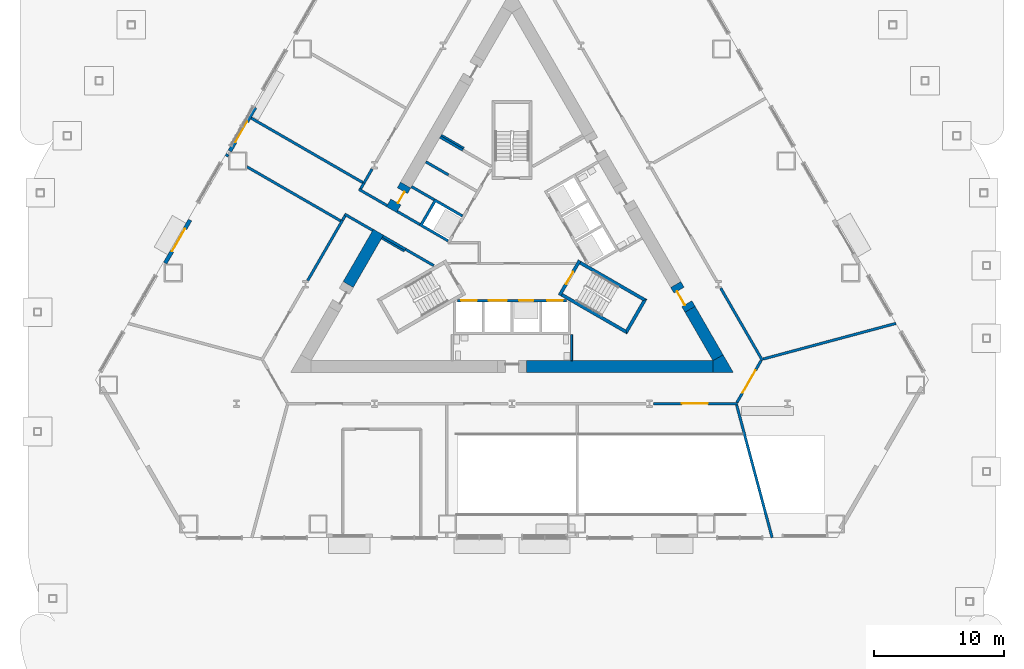
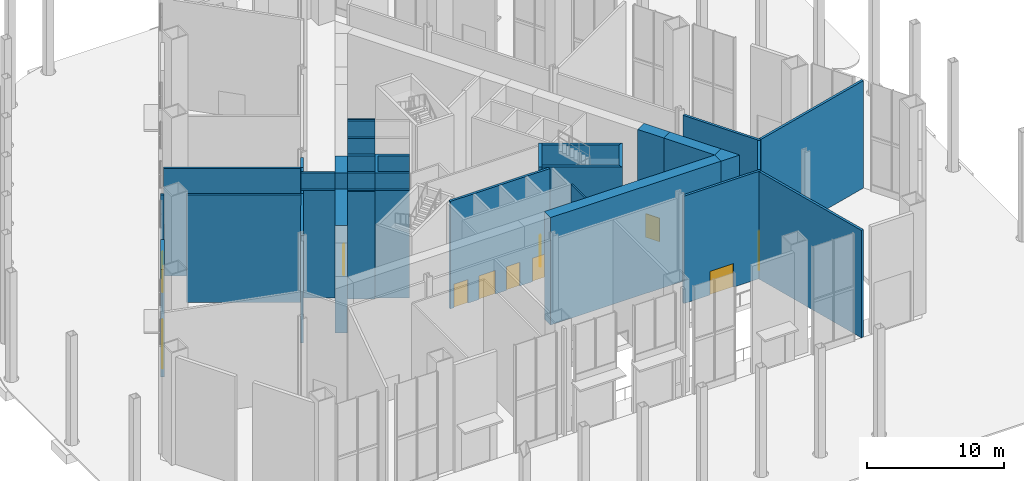
# One storey, part 11 of 18: 37 walls, 11 doors, 11 openings.
"""IFC4 building model written with IfcOpenShell, lengths in metres."""

from ifc_helpers import new_model, si_unit, direction, frame, frame_2d, origin, place, context, subcontext, project, spatial, polyline, rectangle, outline, extrude, material, layer, layer_set, type_object, element, fill, save


model = new_model("IFC4")

# Units and contexts
model_context = context("Model", 3, precision=1e-05, world=origin(), true_north=direction((0.0, 1.0)))
body_context = subcontext(model_context, "Body", "Model", "MODEL_VIEW")
ifc_project = project(units=[si_unit("LENGTHUNIT", "METRE"), si_unit("AREAUNIT", "SQUARE_METRE"), si_unit("VOLUMEUNIT", "CUBIC_METRE"), si_unit("PLANEANGLEUNIT", "RADIAN"), si_unit("MASSUNIT", "GRAM", prefix="KILO")], contexts=[model_context])

# Site, building, storey
site_placement = place(None, origin())
site = spatial("IfcSite", under=ifc_project, at=site_placement, CompositionType="ELEMENT")
building_placement = place(site_placement, origin())
building = spatial("IfcBuilding", under=site, at=building_placement, Name="Cormorant Prow Tower", CompositionType="ELEMENT")
storey_placement = place(building_placement, origin())
storey = spatial("IfcBuildingStorey", under=building, at=storey_placement, Name="L00", CompositionType="ELEMENT", Elevation=0.0)

# Walls
ifc_material_1 = material(Name="Gypsum board partition")
ifc_layer_1 = layer(ifc_material_1, 0.14990234375)
ifc_layer_set_1 = layer_set([ifc_layer_1], Name="Gypsum board partition")
wall_type_1 = type_object("IfcWallType", Name="Core partition 150", PredefinedType="PARTITIONING", material=ifc_layer_set_1)
wall_1_placement = place(storey_placement, frame((4.574951171875, -6.906005859375, 0.0), z_axis=(0.0, 0.0, 1.0), x_axis=(0.0, -1.0, 0.0)))
element("IfcWall", 1, at=wall_1_placement, inside=storey, type_object=wall_type_1, Name="Service room partition", PredefinedType="PARTITIONING", context=body_context, shape_type="SweptSolid", body=[
    extrude(rectangle(XDim=2.009033203125, YDim=0.14990234375, at=frame_2d((1.00439453125, 0.0))), origin(), (0.0, 0.0, 1.0), 9.550048828125),
])
for number, where, z_axis, x_axis, name in (
    (2, (-8.268310546875, -0.509033203125, 0.0), (0.0, 0.0, 1.0), (-0.866035824272, 0.499981950752, 0.0), "Service room partition"),
    (3, (-3.693359375, 7.4150390625, 0.0), (0.0, 0.0, 1.0), (-0.866035824272, 0.499981950752, 0.0), "Service room partition"),
):
    element("IfcWall", number, at=place(storey_placement, frame(where, z_axis=z_axis, x_axis=x_axis)), inside=storey, type_object=wall_type_1, Name=name, PredefinedType="PARTITIONING", context=body_context, shape_type="SweptSolid", body=[
        extrude(rectangle(XDim=2.0087890625, YDim=0.14990234375, at=frame_2d((1.00439453125, 0.0))), origin(), (0.0, 0.0, 1.0), 9.550048828125),
    ])
ifc_material_2 = material(Name="Concrete 8000 psi", Category="concrete")
ifc_layer_2 = layer(ifc_material_2, 0.89990234375)
ifc_layer_set_2 = layer_set([ifc_layer_2], Name="Concrete 8000 psi")
wall_type_2 = type_object("IfcWallType", Name="Core shear wall 900", PredefinedType="SHEAR", material=ifc_layer_set_2)
wall_2_placement = place(storey_placement, frame((1.10009765625, -9.364990234375, 0.0), z_axis=(0.0, 0.0, 1.0), x_axis=(1.0, 0.0, 0.0)))
element("IfcWall", 4, at=wall_2_placement, inside=storey, type_object=wall_type_2, Name="Core wall", PredefinedType="SHEAR", context=body_context, shape_type="SweptSolid", body=[
    extrude(rectangle(XDim=14.341064453125, YDim=0.89990234375, at=frame_2d((7.17041015625, 0.0))), origin(), (0.0, 0.0, 1.0), 9.550048828125),
])
wall_3_placement = place(storey_placement, frame((15.830810546875, -8.68994140625, 0.0), z_axis=(0.0, 0.0, 1.0), x_axis=(-0.499996331799, 0.866027521611, 0.0)))
element("IfcWall", 5, at=wall_3_placement, inside=storey, type_object=wall_type_2, Name="Core wall", PredefinedType="SHEAR", context=body_context, shape_type="SweptSolid", body=[
    extrude(rectangle(XDim=4.29541015625, YDim=0.89990234375, at=frame_2d((2.147705078125, 0.0))), origin(), (0.0, 0.0, 1.0), 9.550048828125),
])
wall_4_placement = place(storey_placement, frame((-10.26025390625, 0.95849609375, 0.0), z_axis=(0.0, 0.0, 1.0), x_axis=(-0.499993887256, -0.86602893295, 0.0)))
element("IfcWall", 6, at=wall_4_placement, inside=storey, type_object=wall_type_2, Name="Core wall", PredefinedType="SHEAR", context=body_context, shape_type="SweptSolid", body=[
    extrude(rectangle(XDim=4.6455078125, YDim=0.89990234375, at=frame_2d((2.32275390625, 0.0))), origin(), (0.0, 0.0, 1.0), 9.550048828125),
])
wall_5_placement = place(storey_placement, origin())
element("IfcWall", 7, at=wall_5_placement, inside=storey, type_object=wall_type_2, Name="Core wall corner", PredefinedType="SHEAR", context=body_context, shape_type="SweptSolid", body=[
    extrude(outline(polyline([(15.441162109375, -9.81494140625), (15.441162109375, -8.9150390625), (16.220703125, -8.465087890625), (17.0, -9.81494140625), (15.441162109375, -9.81494140625)])), origin(), (0.0, 0.0, 1.0), 9.550048828125),
])

# Wall, opening, door
wall_6_placement = place(storey_placement, frame((13.68310546875, -4.969970703125, 0.0), z_axis=(0.0, 0.0, 1.0), x_axis=(-0.50002983664, 0.866008176907, 0.0)))
wall_6 = element("IfcWall", 8, at=wall_6_placement, inside=storey, type_object=wall_type_2, Name="Core wall door panel", PredefinedType="SHEAR", context=body_context, shape_type="SweptSolid", body=[
    extrude(rectangle(XDim=2.199951171875, YDim=0.89990234375, at=frame_2d((1.10009765625, 0.0))), origin(), (0.0, 0.0, 1.0), 9.550048828125),
])
opening_1_placement = place(wall_6_placement, frame((0.5, 0.0, 0.0)))
opening_1 = element("IfcOpeningElement", 9, at=opening_1_placement, cuts=wall_6, Name="Opening FC", PredefinedType="OPENING", context=body_context, shape_type="SweptSolid", body=[
    extrude(rectangle(XDim=1.199951171875, YDim=2.10009765625, at=frame_2d((0.60009765625, 1.050048828125))), frame((0.0, 0.4599609375, 0.0), z_axis=(0.0, -1.0, 0.0), x_axis=(1.0, 0.0, 0.0)), (0.0, 0.0, 1.0), 0.919921875),
])
ifc_material_3 = material(Name="Painted steel", Category="steel")
door_type_1 = type_object("IfcDoorType", Name="Fire command centre door 1200x2100", OperationType="DOUBLE_DOOR_SINGLE_SWING", PredefinedType="DOOR", material=ifc_material_3)
door_1_placement = place(opening_1_placement, origin())
door_1 = element("IfcDoor", 10, at=door_1_placement, inside=storey, type_object=door_type_1, Name="Fire command centre door", OperationType="DOUBLE_DOOR_SINGLE_SWING", OverallHeight=2.10009765625, OverallWidth=1.199951171875, PredefinedType="DOOR", context=body_context, shape_type="SweptSolid", body=[
    extrude(rectangle(XDim=1.199951171875, YDim=2.10009765625, at=frame_2d((0.60009765625, 1.050048828125))), frame((0.0, 0.205078125, 0.0), z_axis=(0.0, -1.0, 0.0), x_axis=(1.0, 0.0, 0.0)), (0.0, 0.0, 1.0), 0.050048828125),
])
fill(opening_1, door_1)

wall_7_placement = place(storey_placement, frame((-8.17041015625, 4.57861328125, 0.0), z_axis=(0.0, 0.0, 1.0), x_axis=(-0.499945432413, -0.866056906104, 0.0)))
wall_7 = element("IfcWall", 11, at=wall_7_placement, inside=storey, type_object=wall_type_2, Name="Core wall door panel", PredefinedType="SHEAR", context=body_context, shape_type="SweptSolid", body=[
    extrude(rectangle(XDim=2.179931640625, YDim=0.89990234375, at=frame_2d((1.08984375, 0.0))), origin(), (0.0, 0.0, 1.0), 9.550048828125),
])
opening_2_placement = place(wall_7_placement, frame((0.5, 0.0, 0.0)))
opening_2 = element("IfcOpeningElement", 12, at=opening_2_placement, cuts=wall_7, Name="Opening L00-C20", PredefinedType="OPENING", context=body_context, shape_type="SweptSolid", body=[
    extrude(rectangle(XDim=1.0, YDim=2.10009765625, at=frame_2d((0.5, 1.050048828125))), frame((0.0, 0.4599609375, 0.0), z_axis=(0.0, -1.0, 0.0), x_axis=(1.0, 0.0, 0.0)), (0.0, 0.0, 1.0), 0.919921875),
])
ifc_material_4 = material(Name="Painted steel", Category="steel")
door_type_2 = type_object("IfcDoorType", Name="Service door 1000x2100", OperationType="NOTDEFINED", PredefinedType="DOOR", material=ifc_material_4)
door_2_placement = place(opening_2_placement, origin())
door_2 = element("IfcDoor", 13, at=door_2_placement, inside=storey, type_object=door_type_2, Name="Core door, Telecom room", OperationType="SINGLE_SWING_RIGHT", OverallHeight=2.10009765625, OverallWidth=1.0, PredefinedType="DOOR", context=body_context, shape_type="SweptSolid", body=[
    extrude(rectangle(XDim=1.0, YDim=2.10009765625, at=frame_2d((0.5, 1.050048828125))), frame((0.0, 0.205078125, 0.0), z_axis=(0.0, -1.0, 0.0), x_axis=(1.0, 0.0, 0.0)), (0.0, 0.0, 1.0), 0.050048828125),
])
fill(opening_2, door_2)

ifc_material_5 = material(Name="Gypsum board corridor wall")
ifc_layer_3 = layer(ifc_material_5, 0.199951171875)
ifc_layer_set_3 = layer_set([ifc_layer_3], Name="Gypsum board corridor wall")
wall_type_3 = type_object("IfcWallType", Name="Corridor wall 200", PredefinedType="PARTITIONING", material=ifc_layer_set_3)
wall_8_placement = place(storey_placement, frame((10.873291015625, -12.215087890625, 0.0), z_axis=(0.0, 0.0, 1.0), x_axis=(1.0, 0.0, 0.0)))
wall_8 = element("IfcWall", 14, at=wall_8_placement, inside=storey, type_object=wall_type_3, Name="Corridor wall", PredefinedType="PARTITIONING", context=body_context, shape_type="SweptSolid", body=[
    extrude(rectangle(XDim=6.45751953125, YDim=0.199951171875, at=frame_2d((3.228759765625, 0.0))), origin(), (0.0, 0.0, 1.0), 9.550048828125),
])
opening_3_placement = place(wall_8_placement, frame((2.17822265625, 0.0, 0.0)))
opening_3 = element("IfcOpeningElement", 15, at=opening_3_placement, cuts=wall_8, Name="Opening L00-F03", PredefinedType="OPENING", context=body_context, shape_type="SweptSolid", body=[
    extrude(rectangle(XDim=2.0, YDim=2.10009765625, at=frame_2d((1.0, 1.050048828125))), frame((0.0, 0.10986328125, 0.0), z_axis=(0.0, -1.0, 0.0), x_axis=(1.0, 0.0, 0.0)), (0.0, 0.0, 1.0), 0.219970703125),
])
ifc_material_6 = material(Name="Glazed aluminium door", Category="aluminium")
door_type_3 = type_object("IfcDoorType", Name="Glazed double door 2000x2100", OperationType="DOUBLE_DOOR_SINGLE_SWING", PredefinedType="DOOR", material=ifc_material_6)
door_3_placement = place(opening_3_placement, origin())
door_3 = element("IfcDoor", 16, at=door_3_placement, inside=storey, type_object=door_type_3, Name="Retail unit door", OperationType="DOUBLE_DOOR_SINGLE_SWING", OverallHeight=2.10009765625, OverallWidth=2.0, PredefinedType="DOOR", context=body_context, shape_type="SweptSolid", body=[
    extrude(rectangle(XDim=2.0, YDim=2.10009765625, at=frame_2d((1.0, 1.050048828125))), frame((0.0, 0.02490234375, 0.0), z_axis=(0.0, -1.0, 0.0), x_axis=(1.0, 0.0, 0.0)), (0.0, 0.0, 1.0), 0.050048828125),
])
fill(opening_3, door_3)

# Walls
wall_9_placement = place(storey_placement, frame((16.037841796875, -3.348388671875, 0.0), z_axis=(0.0, 0.0, 1.0), x_axis=(0.499988314375, -0.866032150378, 0.0)))
element("IfcWall", 17, at=wall_9_placement, inside=storey, type_object=wall_type_3, Name="Corridor wall", PredefinedType="PARTITIONING", context=body_context, shape_type="SweptSolid", body=[
    extrude(rectangle(XDim=6.412353515625, YDim=0.199951171875, at=frame_2d((3.2060546875, 0.0))), origin(), (0.0, 0.0, 1.0), 9.550048828125),
])
wall_10_placement = place(storey_placement, frame((-15.697509765625, -2.759033203125, 0.0), z_axis=(0.0, 0.0, 1.0), x_axis=(0.500125484666, 0.865952943056, 0.0)))
element("IfcWall", 18, at=wall_10_placement, inside=storey, type_object=wall_type_3, Name="Corridor wall", PredefinedType="PARTITIONING", context=body_context, shape_type="SweptSolid", body=[
    extrude(rectangle(XDim=5.348388671875, YDim=0.199951171875, at=frame_2d((2.67431640625, 0.0))), origin(), (0.0, 0.0, 1.0), 9.550048828125),
])

# Wall, opening, door
wall_11_placement = place(storey_placement, frame((17.281005859375, -12.12841796875, 0.0), z_axis=(0.0, 0.0, 1.0), x_axis=(0.499958791762, 0.866049194065, 0.0)))
wall_11 = element("IfcWall", 19, at=wall_11_placement, inside=storey, type_object=wall_type_3, Name="Corridor wall", PredefinedType="PARTITIONING", context=body_context, shape_type="SweptSolid", body=[
    extrude(rectangle(XDim=3.725830078125, YDim=0.199951171875, at=frame_2d((1.86279296875, 0.0))), origin(), (0.0, 0.0, 1.0), 9.550048828125),
])
opening_4_placement = place(wall_11_placement, frame((0.863037109375, 0.0, 0.0)))
opening_4 = element("IfcOpeningElement", 20, at=opening_4_placement, cuts=wall_11, Name="Opening L00-F04", PredefinedType="OPENING", context=body_context, shape_type="SweptSolid", body=[
    extrude(rectangle(XDim=2.0, YDim=2.10009765625, at=frame_2d((1.0, 1.050048828125))), frame((0.0, 0.10986328125, 0.0), z_axis=(0.0, -1.0, 0.0), x_axis=(1.0, 0.0, 0.0)), (0.0, 0.0, 1.0), 0.219970703125),
])
door_4_placement = place(opening_4_placement, origin())
door_4 = element("IfcDoor", 21, at=door_4_placement, inside=storey, type_object=door_type_3, Name="Cafe door", OperationType="DOUBLE_DOOR_SINGLE_SWING", OverallHeight=2.10009765625, OverallWidth=2.0, PredefinedType="DOOR", context=body_context, shape_type="SweptSolid", body=[
    extrude(rectangle(XDim=2.0, YDim=2.10009765625, at=frame_2d((1.0, 1.050048828125))), frame((0.0, 0.02490234375, 0.0), z_axis=(0.0, -1.0, 0.0), x_axis=(1.0, 0.0, 0.0)), (0.0, 0.0, 1.0), 0.050048828125),
])
fill(opening_4, door_4)

# Walls
wall_12_placement = place(storey_placement, frame((-11.432373046875, 4.627197265625, 0.0), z_axis=(0.0, 0.0, 1.0), x_axis=(0.499650385877, 0.866227159522, 0.0)))
element("IfcWall", 22, at=wall_12_placement, inside=storey, type_object=wall_type_3, Name="Corridor wall", PredefinedType="PARTITIONING", context=body_context, shape_type="SweptSolid", body=[
    extrude(rectangle(XDim=1.36865234375, YDim=0.199951171875, at=frame_2d((0.684326171875, 0.0))), origin(), (0.0, 0.0, 1.0), 9.550048828125),
])
ifc_material_7 = material(Name="Gypsum board demising wall")
ifc_layer_4 = layer(ifc_material_7, 0.199951171875)
ifc_layer_set_4 = layer_set([ifc_layer_4], Name="Gypsum board demising wall")
wall_type_4 = type_object("IfcWallType", Name="Demising wall 200", PredefinedType="PARTITIONING", material=ifc_layer_set_4)
for number, where, z_axis, x_axis, name in (
    (23, (19.29052734375, -8.7890625, 0.0), (0.0, 0.0, 1.0), (0.965815181093, 0.259231626099, 0.0), "Demising wall"),
    (24, (17.256591796875, -12.3115234375, 0.0), (0.0, 0.0, 1.0), (0.258424938993, -0.96603134054, 0.0), "Demising wall"),
):
    element("IfcWall", number, at=place(storey_placement, frame(where, z_axis=z_axis, x_axis=x_axis)), inside=storey, type_object=wall_type_4, Name=name, PredefinedType="PARTITIONING", context=body_context, shape_type="SweptSolid", body=[
        extrude(rectangle(XDim=10.56396484375, YDim=0.199951171875, at=frame_2d((5.281982421875, 0.0))), origin(), (0.0, 0.0, 1.0), 9.550048828125),
    ])

# Wall, openings, doors
ifc_material_8 = material(Name="Concrete 5000 psi", Category="concrete")
ifc_layer_5 = layer(ifc_material_8, 0.199951171875)
ifc_layer_set_5 = layer_set([ifc_layer_5], Name="Concrete 5000 psi")
wall_type_5 = type_object("IfcWallType", Name="Lift lobby wall 200", PredefinedType="SOLIDWALL", material=ifc_layer_set_5)
wall_13_placement = place(storey_placement, frame((-4.1865234375, -4.300048828125, 0.0), z_axis=(0.0, 0.0, 1.0), x_axis=(1.0, 0.0, 0.0)))
wall_13 = element("IfcWall", 25, at=wall_13_placement, inside=storey, type_object=wall_type_5, Name="Lift lobby wall, S block", PredefinedType="SOLIDWALL", context=body_context, shape_type="SweptSolid", body=[
    extrude(rectangle(XDim=8.373046875, YDim=0.199951171875, at=frame_2d((4.1865234375, 0.0))), origin(), (0.0, 0.0, 1.0), 9.550048828125),
])
opening_5_placement = place(wall_13_placement, frame((0.28662109375, 0.0, 0.0)))
opening_5 = element("IfcOpeningElement", 26, at=opening_5_placement, cuts=wall_13, Name="Opening L00-C01", PredefinedType="OPENING", context=body_context, shape_type="SweptSolid", body=[
    extrude(rectangle(XDim=1.199951171875, YDim=2.10009765625, at=frame_2d((0.60009765625, 1.050048828125))), frame((0.0, 0.10986328125, 0.0), z_axis=(0.0, -1.0, 0.0), x_axis=(1.0, 0.0, 0.0)), (0.0, 0.0, 1.0), 0.219970703125),
])
opening_6_placement = place(wall_13_placement, frame((2.38671875, 0.0, 0.0)))
opening_6 = element("IfcOpeningElement", 27, at=opening_6_placement, cuts=wall_13, Name="Opening L00-C02", PredefinedType="OPENING", context=body_context, shape_type="SweptSolid", body=[
    extrude(rectangle(XDim=1.39990234375, YDim=2.10009765625, at=frame_2d((0.699951171875, 1.050048828125))), frame((0.0, 0.10986328125, 0.0), z_axis=(0.0, -1.0, 0.0), x_axis=(1.0, 0.0, 0.0)), (0.0, 0.0, 1.0), 0.219970703125),
])
opening_7_placement = place(wall_13_placement, frame((4.736572265625, 0.0, 0.0)))
opening_7 = element("IfcOpeningElement", 28, at=opening_7_placement, cuts=wall_13, Name="Opening L00-C03", PredefinedType="OPENING", context=body_context, shape_type="SweptSolid", body=[
    extrude(rectangle(XDim=1.10009765625, YDim=2.10009765625, at=frame_2d((0.550048828125, 1.050048828125))), frame((0.0, 0.10986328125, 0.0), z_axis=(0.0, -1.0, 0.0), x_axis=(1.0, 0.0, 0.0)), (0.0, 0.0, 1.0), 0.219970703125),
])
opening_8_placement = place(wall_13_placement, frame((6.88671875, 0.0, 0.0)))
opening_8 = element("IfcOpeningElement", 29, at=opening_8_placement, cuts=wall_13, Name="Opening L00-C04", PredefinedType="OPENING", context=body_context, shape_type="SweptSolid", body=[
    extrude(rectangle(XDim=1.199951171875, YDim=2.10009765625, at=frame_2d((0.60009765625, 1.050048828125))), frame((0.0, 0.10986328125, 0.0), z_axis=(0.0, -1.0, 0.0), x_axis=(1.0, 0.0, 0.0)), (0.0, 0.0, 1.0), 0.219970703125),
])
ifc_material_9 = material(Name="Painted steel", Category="steel")
door_type_4 = type_object("IfcDoorType", Name="Firefighting lift landing door 1200x2100", OperationType="SLIDING_TO_LEFT", PredefinedType="DOOR", material=ifc_material_9)
door_5_placement = place(opening_5_placement, origin())
door_5 = element("IfcDoor", 30, at=door_5_placement, inside=storey, type_object=door_type_4, Name="Landing door FL1", OperationType="SLIDING_TO_LEFT", OverallHeight=2.10009765625, OverallWidth=1.199951171875, PredefinedType="DOOR", context=body_context, shape_type="SweptSolid", body=[
    extrude(rectangle(XDim=1.199951171875, YDim=2.10009765625, at=frame_2d((0.60009765625, 1.050048828125))), frame((0.0, 0.02490234375, 0.0), z_axis=(0.0, -1.0, 0.0), x_axis=(1.0, 0.0, 0.0)), (0.0, 0.0, 1.0), 0.050048828125),
])
fill(opening_5, door_5)
door_6_placement = place(opening_8_placement, origin())
door_6 = element("IfcDoor", 31, at=door_6_placement, inside=storey, type_object=door_type_4, Name="Landing door FL2", OperationType="SLIDING_TO_LEFT", OverallHeight=2.10009765625, OverallWidth=1.199951171875, PredefinedType="DOOR", context=body_context, shape_type="SweptSolid", body=[
    extrude(rectangle(XDim=1.199951171875, YDim=2.10009765625, at=frame_2d((0.60009765625, 1.050048828125))), frame((0.0, 0.02490234375, 0.0), z_axis=(0.0, -1.0, 0.0), x_axis=(1.0, 0.0, 0.0)), (0.0, 0.0, 1.0), 0.050048828125),
])
fill(opening_8, door_6)
ifc_material_10 = material(Name="Painted steel", Category="steel")
door_type_5 = type_object("IfcDoorType", Name="Lift landing door 1100x2100", OperationType="SLIDING_TO_LEFT", PredefinedType="DOOR", material=ifc_material_10)
door_7_placement = place(opening_7_placement, origin())
door_7 = element("IfcDoor", 32, at=door_7_placement, inside=storey, type_object=door_type_5, Name="Landing door LR1", OperationType="SLIDING_TO_LEFT", OverallHeight=2.10009765625, OverallWidth=1.10009765625, PredefinedType="DOOR", context=body_context, shape_type="SweptSolid", body=[
    extrude(rectangle(XDim=1.10009765625, YDim=2.10009765625, at=frame_2d((0.550048828125, 1.050048828125))), frame((0.0, 0.02490234375, 0.0), z_axis=(0.0, -1.0, 0.0), x_axis=(1.0, 0.0, 0.0)), (0.0, 0.0, 1.0), 0.050048828125),
])
fill(opening_7, door_7)
ifc_material_11 = material(Name="Painted steel", Category="steel")
door_type_6 = type_object("IfcDoorType", Name="Service lift landing door 1400x2100", OperationType="SLIDING_TO_LEFT", PredefinedType="DOOR", material=ifc_material_11)
door_8_placement = place(opening_6_placement, origin())
door_8 = element("IfcDoor", 33, at=door_8_placement, inside=storey, type_object=door_type_6, Name="Landing door SL1", OperationType="SLIDING_TO_LEFT", OverallHeight=2.10009765625, OverallWidth=1.39990234375, PredefinedType="DOOR", context=body_context, shape_type="SweptSolid", body=[
    extrude(rectangle(XDim=1.39990234375, YDim=2.10009765625, at=frame_2d((0.699951171875, 1.050048828125))), frame((0.0, 0.02490234375, 0.0), z_axis=(0.0, -1.0, 0.0), x_axis=(1.0, 0.0, 0.0)), (0.0, 0.0, 1.0), 0.050048828125),
])
fill(opening_6, door_8)

# Walls
ifc_material_12 = material(Name="Concrete 8000 psi", Category="concrete")
ifc_layer_6 = layer(ifc_material_12, 0.199951171875)
ifc_layer_set_6 = layer_set([ifc_layer_6], Name="Concrete 8000 psi")
wall_type_6 = type_object("IfcWallType", Name="Lift shaft wall 200", PredefinedType="SHEAR", material=ifc_layer_set_6)
wall_14_placement = place(storey_placement, origin())
element("IfcWall", 34, at=wall_14_placement, inside=storey, type_object=wall_type_6, Name="Lift shaft walls, WNW block", PredefinedType="SHEAR", context=body_context, shape_type="SweptSolid", body=[
    extrude(outline(polyline([(-6.060546875, -1.697021484375), (-8.230712890625, -0.444091796875), (-8.130859375, -0.27099609375), (-5.96044921875, -1.52392578125), (-6.060546875, -1.697021484375)])), origin(), (0.0, 0.0, 1.0), 9.550048828125),
])
wall_15_placement = place(storey_placement, origin())
element("IfcWall", 35, at=wall_15_placement, inside=storey, type_object=wall_type_6, Name="Lift shaft walls, WNW block", PredefinedType="SHEAR", context=body_context, shape_type="SweptSolid", body=[
    extrude(outline(polyline([(-4.96044921875, 0.2080078125), (-7.130859375, 1.461181640625), (-5.930908203125, 3.53955078125), (-3.760498046875, 2.28662109375), (-3.860595703125, 2.11328125), (-5.852294921875, 3.263427734375), (-6.852294921875, 1.53125), (-4.860595703125, 0.38134765625), (-4.96044921875, 0.2080078125)])), origin(), (0.0, 0.0, 1.0), 9.550048828125),
])
wall_16_placement = place(storey_placement, frame((-3.78076171875, 7.263427734375, 0.0), z_axis=(0.0, 0.0, 1.0), x_axis=(-0.865983199114, 0.50007309351, 0.0)))
element("IfcWall", 36, at=wall_16_placement, inside=storey, type_object=wall_type_6, Name="Store side wall", PredefinedType="SHEAR", context=body_context, shape_type="SweptSolid", body=[
    extrude(rectangle(XDim=2.009033203125, YDim=0.199951171875, at=frame_2d((1.00439453125, 0.0))), origin(), (0.0, 0.0, 1.0), 9.550048828125),
])
wall_17_placement = place(storey_placement, frame((-4.880859375, 5.3583984375, 0.0), z_axis=(0.0, 0.0, 1.0), x_axis=(-0.866035824272, 0.499981950752, 0.0)))
element("IfcWall", 37, at=wall_17_placement, inside=storey, type_object=wall_type_6, Name="Store side wall", PredefinedType="SHEAR", context=body_context, shape_type="SweptSolid", body=[
    extrude(rectangle(XDim=2.0087890625, YDim=0.199951171875, at=frame_2d((1.00439453125, 0.0))), origin(), (0.0, 0.0, 1.0), 9.550048828125),
])
wall_18_placement = place(storey_placement, frame((-5.980712890625, 3.452880859375, 0.0), z_axis=(0.0, 0.0, 1.0), x_axis=(-0.866013584312, 0.500020471368, 0.0)))
element("IfcWall", 38, at=wall_18_placement, inside=storey, type_object=wall_type_6, Name="Store side wall", PredefinedType="SHEAR", context=body_context, shape_type="SweptSolid", body=[
    extrude(rectangle(XDim=2.00927734375, YDim=0.199951171875, at=frame_2d((1.004638671875, 0.0))), origin(), (0.0, 0.0, 1.0), 9.550048828125),
])
wall_19_placement = place(storey_placement, frame((-7.080810546875, 1.547607421875, 0.0), z_axis=(0.0, 0.0, 1.0), x_axis=(-0.865983199114, 0.50007309351, 0.0)))
element("IfcWall", 39, at=wall_19_placement, inside=storey, type_object=wall_type_6, Name="Exit passage wall", PredefinedType="SHEAR", context=body_context, shape_type="SweptSolid", body=[
    extrude(rectangle(XDim=2.009033203125, YDim=0.199951171875, at=frame_2d((1.00439453125, 0.0))), origin(), (0.0, 0.0, 1.0), 9.550048828125),
])
wall_20_placement = place(storey_placement, frame((-8.180908203125, -0.357421875, 0.0), z_axis=(0.0, 0.0, 1.0), x_axis=(-0.866035824272, 0.499981950752, 0.0)))
element("IfcWall", 40, at=wall_20_placement, inside=storey, type_object=wall_type_6, Name="Exit passage wall", PredefinedType="SHEAR", context=body_context, shape_type="SweptSolid", body=[
    extrude(rectangle(XDim=2.0087890625, YDim=0.199951171875, at=frame_2d((1.00439453125, 0.0))), origin(), (0.0, 0.0, 1.0), 9.550048828125),
])
ifc_material_13 = material(Name="Concrete block wall", Category="concrete")
ifc_layer_7 = layer(ifc_material_13, 0.199951171875)
ifc_layer_set_7 = layer_set([ifc_layer_7], Name="Concrete block wall")
wall_type_7 = type_object("IfcWallType", Name="Shaft and plant wall 200", PredefinedType="PARTITIONING", material=ifc_layer_set_7)
wall_21_placement = place(storey_placement, frame((-20.109375, 9.7626953125, 0.0), z_axis=(0.0, 0.0, 1.0), x_axis=(0.866017364883, -0.500013923527, 0.0)))
element("IfcWall", 41, at=wall_21_placement, inside=storey, type_object=wall_type_7, Name="Exit passage wall", PredefinedType="PARTITIONING", context=body_context, shape_type="SweptSolid", body=[
    extrude(rectangle(XDim=9.981689453125, YDim=0.199951171875, at=frame_2d((4.99072265625, 0.0))), origin(), (0.0, 0.0, 1.0), 9.550048828125),
])
wall_22_placement = place(storey_placement, frame((-20.35791015625, 5.97998046875, 0.0), z_axis=(0.0, 0.0, 1.0), x_axis=(0.866028870366, -0.499993995656, 0.0)))
element("IfcWall", 42, at=wall_22_placement, inside=storey, type_object=wall_type_7, Name="Exit passage wall", PredefinedType="PARTITIONING", context=body_context, shape_type="SweptSolid", body=[
    extrude(rectangle(XDim=8.4052734375, YDim=0.199951171875, at=frame_2d((4.20263671875, 0.0))), origin(), (0.0, 0.0, 1.0), 9.550048828125),
])
wall_23_placement = place(storey_placement, frame((-11.763671875, 4.252685546875, 0.0), z_axis=(0.0, 0.0, 1.0), x_axis=(0.86600986831, -0.500026907266, 0.0)))
element("IfcWall", 43, at=wall_23_placement, inside=storey, type_object=wall_type_7, Name="Exit passage wall", PredefinedType="PARTITIONING", context=body_context, shape_type="SweptSolid", body=[
    extrude(rectangle(XDim=2.498779296875, YDim=0.199951171875, at=frame_2d((1.24951171875, 0.0))), origin(), (0.0, 0.0, 1.0), 9.550048828125),
])
wall_24_placement = place(storey_placement, frame((-12.86474609375, 2.345703125, 0.0), z_axis=(0.0, 0.0, 1.0), x_axis=(0.866034292756, -0.499984603534, 0.0)))
element("IfcWall", 44, at=wall_24_placement, inside=storey, type_object=wall_type_7, Name="Exit passage wall", PredefinedType="PARTITIONING", context=body_context, shape_type="SweptSolid", body=[
    extrude(rectangle(XDim=2.4990234375, YDim=0.199951171875, at=frame_2d((1.24951171875, 0.0))), origin(), (0.0, 0.0, 1.0), 9.550048828125),
])
wall_25_placement = place(storey_placement, frame((-11.627197265625, 4.289306640625, 0.0), z_axis=(0.0, 0.0, 1.0), x_axis=(0.499750133086, 0.866169616461, 0.0)))
element("IfcWall", 45, at=wall_25_placement, inside=storey, type_object=wall_type_7, Name="Exit passage wall", PredefinedType="PARTITIONING", context=body_context, shape_type="SweptSolid", body=[
    extrude(rectangle(XDim=0.509033203125, YDim=0.199951171875, at=frame_2d((0.25439453125, 0.0))), origin(), (0.0, 0.0, 1.0), 9.550048828125),
])
wall_26_placement = place(storey_placement, frame((-13.022705078125, 1.872314453125, 0.0), z_axis=(0.0, 0.0, 1.0), x_axis=(0.500392655802, 0.865798585133, 0.0)))
element("IfcWall", 46, at=wall_26_placement, inside=storey, type_object=wall_type_7, Name="Exit passage wall", PredefinedType="PARTITIONING", context=body_context, shape_type="SweptSolid", body=[
    extrude(rectangle(XDim=0.388916015625, YDim=0.199951171875, at=frame_2d((0.1943359375, 0.0))), origin(), (0.0, 0.0, 1.0), 9.550048828125),
])
wall_27_placement = place(storey_placement, frame((-22.0, 6.92822265625, 0.0), z_axis=(0.0, 0.0, 1.0), x_axis=(0.866185586049, -0.49972245349, 0.0)))
element("IfcWall", 47, at=wall_27_placement, inside=storey, type_object=wall_type_7, Name="Exit passage wall", PredefinedType="PARTITIONING", context=body_context, shape_type="SweptSolid", body=[
    extrude(rectangle(XDim=0.256591796875, YDim=0.199951171875, at=frame_2d((0.12841796875, 0.0))), origin(), (0.0, 0.0, 1.0), 9.550048828125),
])
ifc_material_14 = material(Name="Concrete 8000 psi", Category="concrete")
ifc_layer_8 = layer(ifc_material_14, 0.25)
ifc_layer_set_8 = layer_set([ifc_layer_8], Name="Concrete 8000 psi")
wall_type_8 = type_object("IfcWallType", Name="Stair wall 250", PredefinedType="SHEAR", material=ifc_layer_set_8)
wall_28_placement = place(storey_placement, origin())
element("IfcWall", 48, at=wall_28_placement, inside=storey, type_object=wall_type_8, Name="Stair ST2 enclosure wall (flank)", PredefinedType="SHEAR", context=body_context, shape_type="SweptSolid", body=[
    extrude(outline(polyline([(3.76318359375, -3.95556640625), (8.82958984375, -6.880615234375), (8.738037109375, -6.5390625), (3.88818359375, -3.739013671875), (3.76318359375, -3.95556640625)])), origin(), (0.0, 0.0, 1.0), 9.550048828125),
])
wall_29_placement = place(storey_placement, origin())
element("IfcWall", 49, at=wall_29_placement, inside=storey, type_object=wall_type_8, Name="Stair ST2 enclosure wall (end)", PredefinedType="SHEAR", context=body_context, shape_type="SweptSolid", body=[
    extrude(outline(polyline([(8.82958984375, -6.880615234375), (10.37353515625, -4.206298828125), (10.031982421875, -4.2978515625), (8.738037109375, -6.5390625), (8.82958984375, -6.880615234375)])), origin(), (0.0, 0.0, 1.0), 9.550048828125),
])
wall_30_placement = place(storey_placement, origin())
element("IfcWall", 50, at=wall_30_placement, inside=storey, type_object=wall_type_8, Name="Stair ST2 enclosure wall (flank)", PredefinedType="SHEAR", context=body_context, shape_type="SweptSolid", body=[
    extrude(outline(polyline([(10.031982421875, -4.2978515625), (10.37353515625, -4.206298828125), (5.30712890625, -1.28125), (5.18212890625, -1.497802734375), (10.031982421875, -4.2978515625)])), origin(), (0.0, 0.0, 1.0), 9.550048828125),
])

# Wall, opening, door
wall_31_placement = place(storey_placement, frame((3.655029296875, -3.89306640625, 0.0), z_axis=(0.0, 0.0, 1.0), x_axis=(0.499982516597, 0.866035497597, 0.0)))
wall_31 = element("IfcWall", 51, at=wall_31_placement, inside=storey, type_object=wall_type_8, Name="Stair ST2 door wall", PredefinedType="SHEAR", context=body_context, shape_type="SweptSolid", body=[
    extrude(rectangle(XDim=3.087890625, YDim=0.25, at=frame_2d((1.5439453125, 0.0))), origin(), (0.0, 0.0, 1.0), 9.550048828125),
])
opening_9_placement = place(wall_31_placement, frame((0.993896484375, 0.0, 0.0)))
opening_9 = element("IfcOpeningElement", 52, at=opening_9_placement, cuts=wall_31, Name="Opening L00-C14", PredefinedType="OPENING", context=body_context, shape_type="SweptSolid", body=[
    extrude(rectangle(XDim=1.10009765625, YDim=2.10009765625, at=frame_2d((0.550048828125, 1.050048828125))), frame((0.0, 0.135009765625, 0.0), z_axis=(0.0, -1.0, 0.0), x_axis=(1.0, 0.0, 0.0)), (0.0, 0.0, 1.0), 0.27001953125),
])
ifc_material_15 = material(Name="Painted steel", Category="steel")
door_type_7 = type_object("IfcDoorType", Name="Stair door 1100x2100", OperationType="NOTDEFINED", PredefinedType="DOOR", material=ifc_material_15)
door_9_placement = place(opening_9_placement, origin())
door_9 = element("IfcDoor", 53, at=door_9_placement, inside=storey, type_object=door_type_7, Name="Stair ST2 door", OperationType="SINGLE_SWING_RIGHT", OverallHeight=2.10009765625, OverallWidth=1.10009765625, PredefinedType="DOOR", context=body_context, shape_type="SweptSolid", body=[
    extrude(rectangle(XDim=1.10009765625, YDim=2.10009765625, at=frame_2d((0.550048828125, 1.050048828125))), frame((0.0, 0.02490234375, 0.0), z_axis=(0.0, -1.0, 0.0), x_axis=(1.0, 0.0, 0.0)), (0.0, 0.0, 1.0), 0.050048828125),
])
fill(opening_9, door_9)

ifc_material_16 = material(Name="Terracotta", Category="masonry")
ifc_layer_9 = layer(ifc_material_16, 0.300048828125)
ifc_layer_set_9 = layer_set([ifc_layer_9], Name="Terracotta")
wall_type_9 = type_object("IfcWallType", Name="Terracotta portal wall 300", PredefinedType="SOLIDWALL", material=ifc_layer_set_9)
wall_32_placement = place(storey_placement, frame((-21.676025390625, 7.189208984375, 0.0), z_axis=(0.0, 0.0, 1.0), x_axis=(0.499994660107, 0.866028486751, 0.0)))
wall_32 = element("IfcWall", 54, at=wall_32_placement, inside=storey, type_object=wall_type_9, Name="Terracotta portal wall WNW05", PredefinedType="SOLIDWALL", context=body_context, shape_type="SweptSolid", body=[
    extrude(rectangle(XDim=3.8818359375, YDim=0.300048828125, at=frame_2d((1.94091796875, 0.0))), origin(), (0.0, 0.0, 1.0), 4.60009765625),
])
opening_10_placement = place(wall_32_placement, frame((0.81201171875, 0.0, 0.0)))
opening_10 = element("IfcOpeningElement", 55, at=opening_10_placement, cuts=wall_32, Name="Opening ED00.12", PredefinedType="OPENING", context=body_context, shape_type="SweptSolid", body=[
    extrude(rectangle(XDim=1.800048828125, YDim=2.39990234375, at=frame_2d((0.89990234375, 1.199951171875))), frame((0.0, 0.159912109375, 0.0), z_axis=(0.0, -1.0, 0.0), x_axis=(1.0, 0.0, 0.0)), (0.0, 0.0, 1.0), 0.320068359375),
])
ifc_material_17 = material(Name="Aluminium 6063-T6", Category="aluminium")
door_type_8 = type_object("IfcDoorType", Name="Exit passage door 1800x2400", OperationType="DOUBLE_DOOR_SINGLE_SWING", PredefinedType="DOOR", material=ifc_material_17)
door_10_placement = place(opening_10_placement, origin())
door_10 = element("IfcDoor", 56, at=door_10_placement, inside=storey, type_object=door_type_8, Name="Exit passage door WNW05 ED00.12", OperationType="DOUBLE_DOOR_SINGLE_SWING", OverallHeight=2.39990234375, OverallWidth=1.800048828125, PredefinedType="DOOR", context=body_context, shape_type="SweptSolid", body=[
    extrude(rectangle(XDim=1.800048828125, YDim=2.39990234375, at=frame_2d((0.89990234375, 1.199951171875))), frame((0.0, 0.02490234375, 0.0), z_axis=(0.0, -1.0, 0.0), x_axis=(1.0, 0.0, 0.0)), (0.0, 0.0, 1.0), 0.050048828125),
])
fill(opening_10, door_10)

wall_33_placement = place(storey_placement, frame((-26.64208984375, -1.412353515625, 0.0), z_axis=(0.0, 0.0, 1.0), x_axis=(0.499973637274, 0.866040623776, 0.0)))
wall_33 = element("IfcWall", 57, at=wall_33_placement, inside=storey, type_object=wall_type_9, Name="Terracotta entrance wall WNW07", PredefinedType="SOLIDWALL", context=body_context, shape_type="SweptSolid", body=[
    extrude(rectangle(XDim=3.814208984375, YDim=0.300048828125, at=frame_2d((1.9072265625, 0.0))), origin(), (0.0, 0.0, 1.0), 9.550048828125),
])
opening_11_placement = place(wall_33_placement, frame((1.044189453125, 0.0, 0.0)))
opening_11 = element("IfcOpeningElement", 58, at=opening_11_placement, cuts=wall_33, Name="Opening ED00.11", PredefinedType="OPENING", context=body_context, shape_type="SweptSolid", body=[
    extrude(rectangle(XDim=2.0, YDim=3.0, at=frame_2d((1.0, 1.5))), frame((0.0, 0.159912109375, 0.0), z_axis=(0.0, -1.0, 0.0), x_axis=(1.0, 0.0, 0.0)), (0.0, 0.0, 1.0), 0.320068359375),
])
ifc_material_18 = material(Name="Aluminium 6063-T6", Category="aluminium")
door_type_9 = type_object("IfcDoorType", Name="Retail entrance door 2000x3000", OperationType="DOUBLE_DOOR_SINGLE_SWING", PredefinedType="DOOR", material=ifc_material_18)
door_11_placement = place(opening_11_placement, origin())
door_11 = element("IfcDoor", 59, at=door_11_placement, inside=storey, type_object=door_type_9, Name="Retail entrance door WNW07 ED00.11", OperationType="DOUBLE_DOOR_SINGLE_SWING", OverallHeight=3.0, OverallWidth=2.0, PredefinedType="DOOR", context=body_context, shape_type="SweptSolid", body=[
    extrude(rectangle(XDim=2.0, YDim=3.0, at=frame_2d((1.0, 1.5))), frame((0.0, 0.02490234375, 0.0), z_axis=(0.0, -1.0, 0.0), x_axis=(1.0, 0.0, 0.0)), (0.0, 0.0, 1.0), 0.050048828125),
])
fill(opening_11, door_11)

save(model, "model.ifc")
